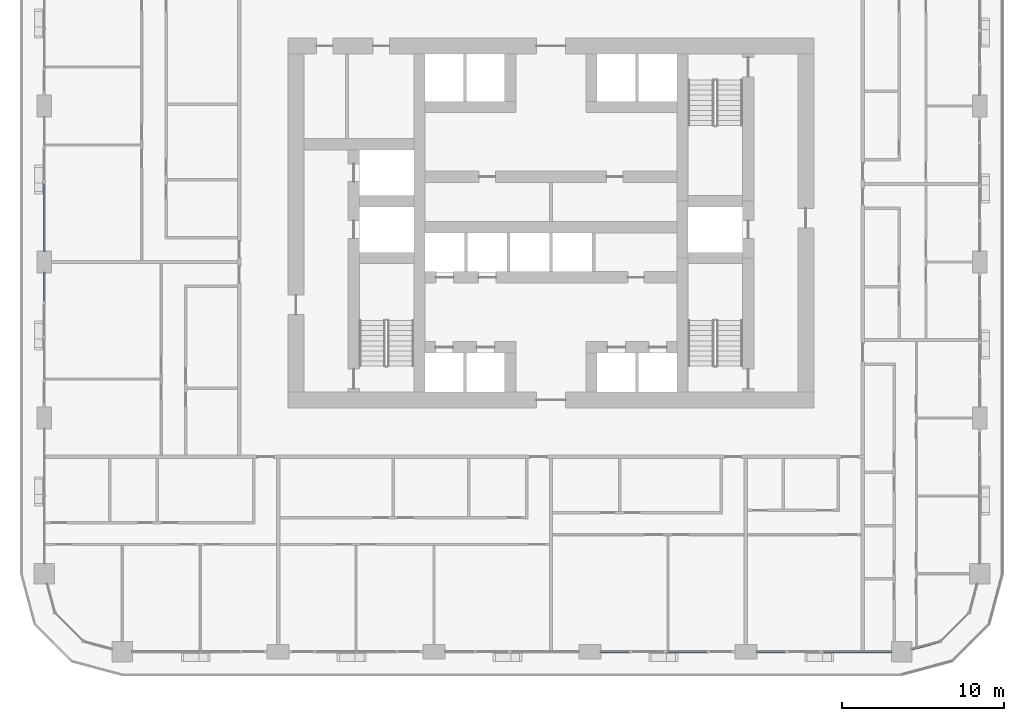
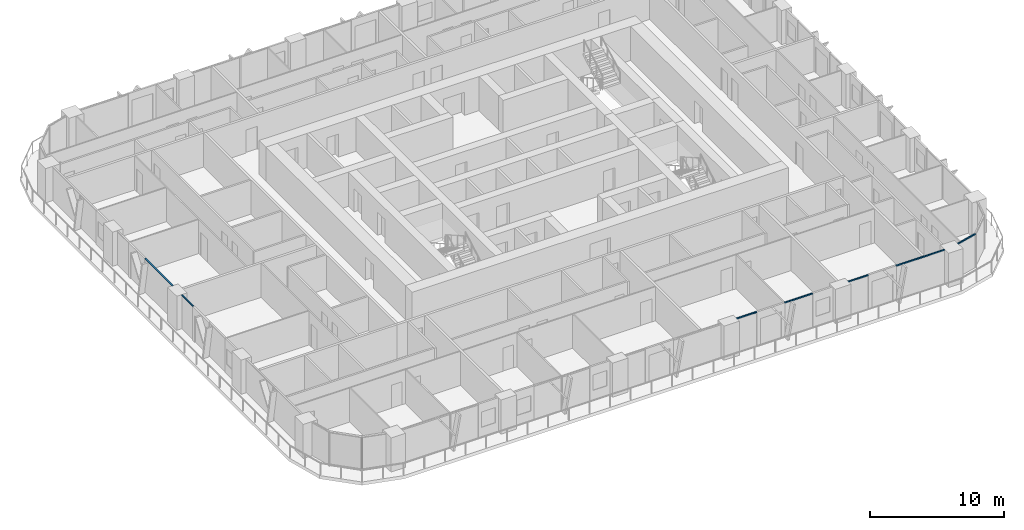
# One storey, part 3 of 21: 7 members, 5 elements without a shape of their own.
"""IFC4 building model written with IfcOpenShell, lengths in metres."""

from ifc_helpers import new_model, si_unit, direction, frame, origin, origin_2d, place, context, subcontext, project, spatial, rectangle, extrude, material, layer, layer_set, material_profile, profile_set, type_object, element, aggregate, save


model = new_model("IFC4")

# Units and contexts
model_context = context("Model", 3, precision=1e-05, world=origin(), true_north=direction((0.0, 1.0)))
body_context = subcontext(model_context, "Body", "Model", "MODEL_VIEW")
ifc_project = project(units=[si_unit("LENGTHUNIT", "METRE"), si_unit("AREAUNIT", "SQUARE_METRE"), si_unit("VOLUMEUNIT", "CUBIC_METRE"), si_unit("PLANEANGLEUNIT", "RADIAN"), si_unit("MASSUNIT", "GRAM", prefix="KILO")], contexts=[model_context])

# Site, building, storey
site_placement = place(None, origin())
site = spatial("IfcSite", under=ifc_project, at=site_placement, CompositionType="ELEMENT")
building_placement = place(site_placement, origin())
building = spatial("IfcBuilding", under=site, at=building_placement, Name="Madar Terraces", CompositionType="ELEMENT")
storey_placement = place(building_placement, frame((0.0, 0.0, 50.39990234375)))
storey = spatial("IfcBuildingStorey", under=building, at=storey_placement, Name="L12", CompositionType="ELEMENT", Elevation=50.39990234375)

# Curtain wall, members
ifc_material_1 = material(Name="Glass, ceramic frit dark grey, with black aluminium frame", Category="aluminium")
ifc_layer = layer(ifc_material_1, 0.199951171875)
ifc_layer_set = layer_set([ifc_layer], Name="Facade curtain wall, fritted glass")
curtain_wall_type = type_object("IfcCurtainWallType", Name="Facade curtain wall, fritted glass", PredefinedType="NOTDEFINED", material=ifc_layer_set)
curtain_wall_1_placement = place(storey_placement, origin())
curtain_wall_1 = element("IfcCurtainWall", 1, at=curtain_wall_1_placement, inside=storey, type_object=curtain_wall_type, Name="Outer skin curtain wall south bay 4", PredefinedType="NOTDEFINED")
ifc_material_2 = material(Name="Aluminium, black anodised", Category="aluminium")
ifc_material_profile = material_profile(ifc_material_2, rectangle(XDim=0.1201171875, YDim=0.06005859375, at=origin_2d()), Name="Facade transom 60x120")
ifc_profile_set = profile_set([ifc_material_profile], Name="Aluminium, black anodised")
member_type = type_object("IfcMemberType", Name="Facade transom 60x120", PredefinedType="USERDEFINED", material=ifc_profile_set)
member_1_placement = place(storey_placement, frame((34.27490234375, 0.0, 3.070068359375), z_axis=(1.0, 0.0, 0.0), x_axis=(0.0, 1.0, 0.0)))
member_1 = element("IfcMember", 2, at=member_1_placement, type_object=member_type, Name="Transom 1", ObjectType="TRANSOM", PredefinedType="USERDEFINED", context=body_context, shape_type="SweptSolid", body=[
    extrude(rectangle(XDim=0.1201171875, YDim=0.06005859375, at=origin_2d()), origin(), (0.0, 0.0, 1.0), 1.72509765625),
])
member_2_placement = place(storey_placement, frame((38.39990234375, 0.0, 3.070068359375), z_axis=(1.0, 0.0, 0.0), x_axis=(0.0, 1.0, 0.0)))
member_2 = element("IfcMember", 3, at=member_2_placement, type_object=member_type, Name="Transom 2", ObjectType="TRANSOM", PredefinedType="USERDEFINED", context=body_context, shape_type="SweptSolid", body=[
    extrude(rectangle(XDim=0.1201171875, YDim=0.06005859375, at=origin_2d()), origin(), (0.0, 0.0, 1.0), 2.400146484375),
])
aggregate(curtain_wall_1, [member_1, member_2])

curtain_wall_2_placement = place(storey_placement, origin())
curtain_wall_2 = element("IfcCurtainWall", 4, at=curtain_wall_2_placement, inside=storey, type_object=curtain_wall_type, Name="Outer skin curtain wall south bay 5", PredefinedType="NOTDEFINED")
member_3_placement = place(storey_placement, frame((43.875, 0.0, 3.070068359375), z_axis=(1.0, 0.0, 0.0), x_axis=(0.0, 1.0, 0.0)))
member_3 = element("IfcMember", 5, at=member_3_placement, type_object=member_type, Name="Transom 1", ObjectType="TRANSOM", PredefinedType="USERDEFINED", context=body_context, shape_type="SweptSolid", body=[
    extrude(rectangle(XDim=0.1201171875, YDim=0.06005859375, at=origin_2d()), origin(), (0.0, 0.0, 1.0), 1.72509765625),
])
member_4_placement = place(storey_placement, frame((48.0, 0.0, 3.070068359375), z_axis=(1.0, 0.0, 0.0), x_axis=(0.0, 1.0, 0.0)))
member_4 = element("IfcMember", 6, at=member_4_placement, type_object=member_type, Name="Transom 2", ObjectType="TRANSOM", PredefinedType="USERDEFINED", context=body_context, shape_type="SweptSolid", body=[
    extrude(rectangle(XDim=0.1201171875, YDim=0.06005859375, at=origin_2d()), origin(), (0.0, 0.0, 1.0), 4.175048828125),
])
aggregate(curtain_wall_2, [member_3, member_4])

# Curtain wall, member
curtain_wall_3_placement = place(storey_placement, origin())
curtain_wall_3 = element("IfcCurtainWall", 7, at=curtain_wall_3_placement, inside=storey, type_object=curtain_wall_type, Name="Outer skin curtain wall west bay 2", PredefinedType="NOTDEFINED")
member_5_placement = place(storey_placement, frame((0.0, 28.800048828125, 3.070068359375), z_axis=(0.0, -1.0, 0.0), x_axis=(1.0, 0.0, 0.0)))
member_5 = element("IfcMember", 8, at=member_5_placement, type_object=member_type, Name="Transom 2", ObjectType="TRANSOM", PredefinedType="USERDEFINED", context=body_context, shape_type="SweptSolid", body=[
    extrude(rectangle(XDim=0.1201171875, YDim=0.06005859375, at=origin_2d()), origin(), (0.0, 0.0, 1.0), 4.125),
])
aggregate(curtain_wall_3, [member_5])

curtain_wall_4_placement = place(storey_placement, origin())
curtain_wall_4 = element("IfcCurtainWall", 9, at=curtain_wall_4_placement, inside=storey, type_object=curtain_wall_type, Name="Outer skin curtain wall west bay 3", PredefinedType="NOTDEFINED")
member_6_placement = place(storey_placement, frame((0.0, 23.324951171875, 3.070068359375), z_axis=(0.0, -1.0, 0.0), x_axis=(1.0, 0.0, 0.0)))
member_6 = element("IfcMember", 10, at=member_6_placement, type_object=member_type, Name="Transom 1", ObjectType="TRANSOM", PredefinedType="USERDEFINED", context=body_context, shape_type="SweptSolid", body=[
    extrude(rectangle(XDim=0.1201171875, YDim=0.06005859375, at=origin_2d()), origin(), (0.0, 0.0, 1.0), 1.724853515625),
])
aggregate(curtain_wall_4, [member_6])

curtain_wall_5_placement = place(storey_placement, origin())
curtain_wall_5 = element("IfcCurtainWall", 11, at=curtain_wall_5_placement, inside=storey, type_object=curtain_wall_type, Name="Outer skin curtain wall south-east corner", PredefinedType="NOTDEFINED")
member_7_placement = place(storey_placement, frame((53.425048828125, 0.16748046875, 3.070068359375), z_axis=(0.965938406667, 0.258772089929, 0.0), x_axis=(-0.258772089929, 0.965938406667, 0.0)))
member_7 = element("IfcMember", 12, at=member_7_placement, type_object=member_type, Name="Transom 1", ObjectType="TRANSOM", PredefinedType="USERDEFINED", context=body_context, shape_type="SweptSolid", body=[
    extrude(rectangle(XDim=0.1201171875, YDim=0.06005859375, at=origin_2d()), origin(), (0.0, 0.0, 1.0), 1.8076171875),
])
aggregate(curtain_wall_5, [member_7])

save(model, "model.ifc")
